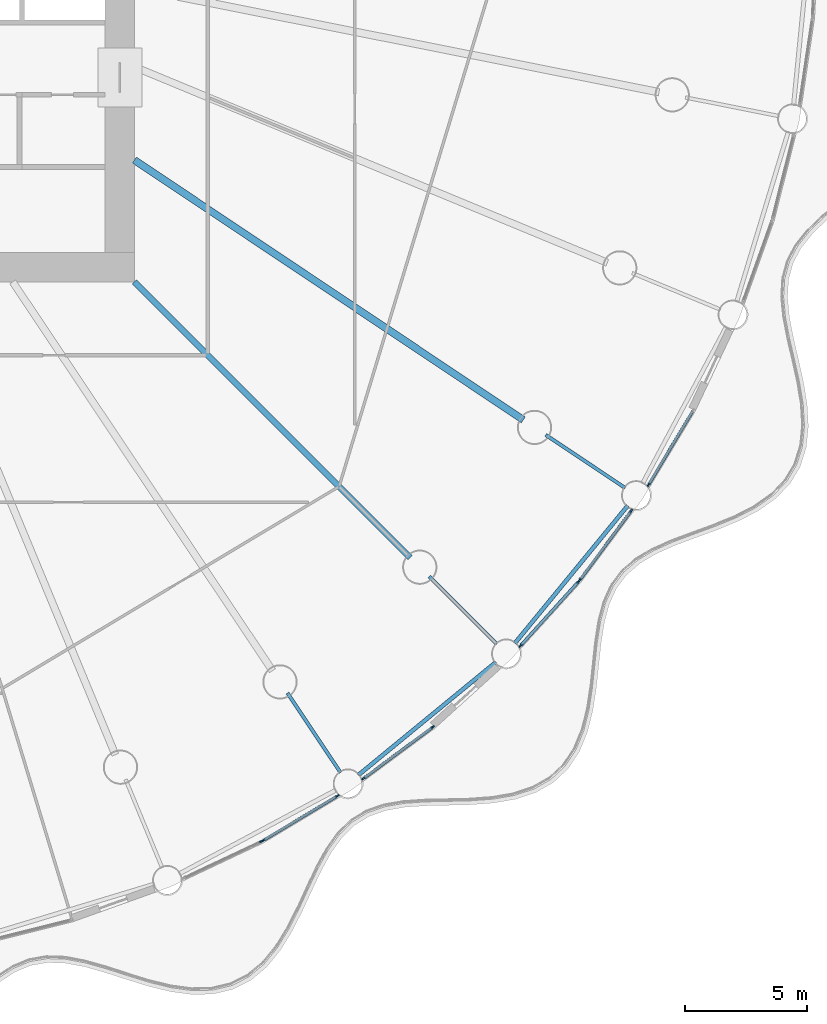
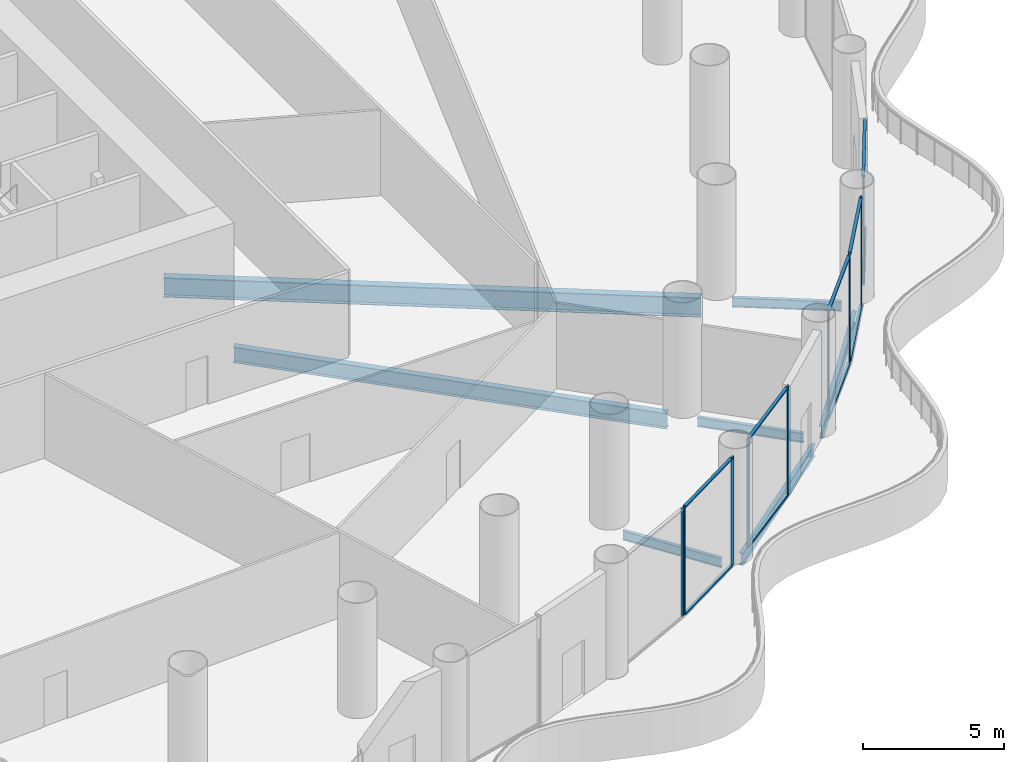
# One storey, part 10 of 35: 20 members, 7 beams, 6 elements without a shape of their own.
"""IFC4 building model written with IfcOpenShell, lengths in metres."""

import ifcopenshell
import ifcopenshell.guid

model = None  # the IFC model being written
_history = None  # IfcOwnerHistory: only IFC2X3 demands one
_inside = {}  # id of a spatial element -> (the spatial element, [elements in it])
_under = {}  # id of a project, library or spatial element -> (it, [spatial elements below it])
_declared = {}  # id of a project -> (the project, [libraries it declares])
_typed = {}  # id of a type object -> (the type object, [elements of that type])
_made_of = {}  # id of a material, layer set ... -> (it, [elements and type objects made of it])


def new_model(schema):
    """Start an empty IFC model of exactly this schema.

    Asked for "IFC4X3", IfcOpenShell would pick the latest addendum, in which some entities
    have other attributes; the version numbers below select the first issue.
    IFC2X3 requires an IfcOwnerHistory on every rooted entity: one is made here for all.
    """
    global model, _history
    if schema == "IFC4X3":
        model = ifcopenshell.file(schema_version=(4, 3, 0, 0))
    else:
        model = ifcopenshell.file(schema=schema)
    _inside.clear()
    _under.clear()
    _declared.clear()
    _typed.clear()
    _made_of.clear()
    _history = None
    if model.schema == "IFC2X3":
        org = make("IfcOrganization", Name="unknown")
        user = make(
            "IfcPersonAndOrganization",
            ThePerson=make("IfcPerson", FamilyName="unknown"),
            TheOrganization=org,
        )
        app = make(
            "IfcApplication",
            ApplicationDeveloper=org,
            Version="unknown",
            ApplicationFullName="unknown",
            ApplicationIdentifier="unknown",
        )
        _history = make(
            "IfcOwnerHistory",
            OwningUser=user,
            OwningApplication=app,
            ChangeAction="ADDED",
            CreationDate=0,
        )
    return model


def make(cls, **values):
    """One entity of the class cls with the attributes given. An attribute that is None is left unset."""
    return model.create_entity(
        cls, **{name: value for name, value in values.items() if value is not None}
    )


def rooted(cls, **values):
    """An entity with a GlobalId (a new one), such as an element, a storey or a relation."""
    return make(cls, GlobalId=ifcopenshell.guid.new(), OwnerHistory=_history, **values)


def si_unit(unit_type, name, prefix=None):
    """IfcSIUnit, for example si_unit("LENGTHUNIT", "METRE", prefix="MILLI")."""
    return make("IfcSIUnit", UnitType=unit_type, Prefix=prefix, Name=name)


def assignment(units):
    """IfcUnitAssignment: the units of a project."""
    return None if units is None else make("IfcUnitAssignment", Units=units)


def point(xyz):
    """IfcCartesianPoint."""
    return None if xyz is None else make("IfcCartesianPoint", Coordinates=xyz)


def direction(xyz):
    """IfcDirection."""
    return None if xyz is None else make("IfcDirection", DirectionRatios=xyz)


def frame(location, z_axis=None, x_axis=None):
    """IfcAxis2Placement3D, a coordinate frame: its origin and axes. An axis left out is left unset."""
    return make(
        "IfcAxis2Placement3D",
        Location=point(location),
        Axis=direction(z_axis),
        RefDirection=direction(x_axis),
    )


def frame_2d(location, x_axis=None):
    """IfcAxis2Placement2D, a coordinate frame in the plane: its origin and x axis."""
    return make(
        "IfcAxis2Placement2D", Location=point(location), RefDirection=direction(x_axis)
    )


def origin():
    """The frame at (0, 0, 0) with its axes left unset."""
    return frame((0.0, 0.0, 0.0))


def origin_2d():
    """The frame at (0, 0) in the plane with its x axis left unset."""
    return frame_2d((0.0, 0.0))


def place(relative_to, where):
    """IfcLocalPlacement: puts the frame where relative to a parent placement (None: the world)."""
    return make(
        "IfcLocalPlacement", PlacementRelTo=relative_to, RelativePlacement=where
    )


def context(
    kind, dimensions, precision=None, world=None, true_north=None, identifier=None
):
    """IfcGeometricRepresentationContext, for example the 3D "Model" context."""
    return make(
        "IfcGeometricRepresentationContext",
        ContextIdentifier=identifier,
        ContextType=kind,
        CoordinateSpaceDimension=dimensions,
        Precision=precision,
        WorldCoordinateSystem=world,
        TrueNorth=true_north,
    )


def subcontext(parent, identifier, kind, view, scale=None):
    """IfcGeometricRepresentationSubContext, for example "Body" below "Model"."""
    return make(
        "IfcGeometricRepresentationSubContext",
        ContextIdentifier=identifier,
        ContextType=kind,
        ParentContext=parent,
        TargetScale=scale,
        TargetView=view,
    )


def project(units=None, contexts=None):
    """IfcProject with its units and contexts."""
    return rooted(
        "IfcProject",
        Name="project",
        RepresentationContexts=contexts,
        UnitsInContext=assignment(units),
    )


def spatial(cls, under=None, at=None, **own):
    """A site, building, storey or space (cls), placed at a placement, below another one or the project."""
    s = rooted(cls, ObjectPlacement=at, **own)
    if under is not None:
        _under.setdefault(under.id(), (under, []))[1].append(s)
    return s


def profile(cls, at=None, kind="AREA", **sizes):
    """A parametric profile (cls). Its sizes go by their IFC names, for example OverallWidth=200.0."""
    return make(cls, ProfileType=kind, Position=at, **sizes)


def rectangle(**sizes):
    """IfcRectangleProfileDef."""
    return profile("IfcRectangleProfileDef", **sizes)


def i_section(**sizes):
    """IfcIShapeProfileDef."""
    return profile("IfcIShapeProfileDef", **sizes)


def extrude(swept, where, along, depth):
    """IfcExtrudedAreaSolid: the profile swept, set in the frame where, extruded along a direction by depth."""
    return make(
        "IfcExtrudedAreaSolid",
        SweptArea=swept,
        Position=where,
        ExtrudedDirection=direction(along),
        Depth=depth,
    )


def shape(context_of_items, identifier, shape_type, items):
    """IfcShapeRepresentation: the items that make up one representation, for example the "Body"."""
    return make(
        "IfcShapeRepresentation",
        ContextOfItems=context_of_items,
        RepresentationIdentifier=identifier,
        RepresentationType=shape_type,
        Items=items,
    )


def material(Name=None, Category=None):
    """IfcMaterial."""
    return make("IfcMaterial", Name=Name, Category=Category)


def material_profile(
    of_material, cross_section, Name=None, Category=None, Priority=None
):
    """IfcMaterialProfile: a cross section and its material."""
    return make(
        "IfcMaterialProfile",
        Name=Name,
        Material=of_material,
        Profile=cross_section,
        Priority=Priority,
        Category=Category,
    )


def profile_set(profiles, Name=None, composite=None):
    """IfcMaterialProfileSet."""
    return make(
        "IfcMaterialProfileSet",
        Name=Name,
        MaterialProfiles=profiles,
        CompositeProfile=composite,
    )


def made_of(thing, what):
    """Note that an element or type object is made of a material, layer set ...; save() writes the relation."""
    if what is not None:
        _made_of.setdefault(what.id(), (what, []))[1].append(thing)
    return thing


def type_object(cls, material=None, **own):
    """A type object (cls), such as IfcWallType, which elements share."""
    return made_of(rooted(cls, **own), material)


def element(
    cls,
    number,
    at=None,
    inside=None,
    cuts=None,
    type_object=None,
    material=None,
    context=None,
    identifier="Body",
    shape_type=None,
    held_by="IfcProductDefinitionShape",
    body=None,
    shapes=None,
    **own,
):
    """One element of the class cls, such as IfcWall. Its Tag is "e" and its number.

    at: its placement. inside: the storey or other place that contains it. cuts: it is an
    opening in that element (IfcRelVoidsElement). A single representation is given by context,
    identifier, shape_type and body (its items); several are given by shapes. held_by: the class
    of the entity that holds the representations. save() writes the other relations.
    """
    e = rooted(cls, Tag="e%d" % number, ObjectPlacement=at, **own)
    if body is not None:
        shapes = [shape(context, identifier, shape_type, body)]
    if shapes is not None:
        e.Representation = make(held_by, Representations=shapes)
    if inside is not None:
        _inside.setdefault(inside.id(), (inside, []))[1].append(e)
    if cuts is not None:
        rooted(
            "IfcRelVoidsElement", RelatingBuildingElement=cuts, RelatedOpeningElement=e
        )
    if type_object is not None:
        _typed.setdefault(type_object.id(), (type_object, []))[1].append(e)
    return made_of(e, material)


def aggregate(whole, parts):
    """IfcRelAggregates: a whole, such as a stair, and the parts it consists of."""
    return rooted("IfcRelAggregates", RelatingObject=whole, RelatedObjects=parts)


def save(model, path):
    """Write the relations noted so far, then the file.

    IfcRelAggregates (storeys below a building ...), IfcRelContainedInSpatialStructure (elements
    in a storey), IfcRelDefinesByType, IfcRelAssociatesMaterial and IfcRelDeclares: one each for
    every whole, place, type object, material and project.
    """
    for whole, parts in _under.values():
        aggregate(whole, parts)
    for where, things in _inside.values():
        rooted(
            "IfcRelContainedInSpatialStructure",
            RelatedElements=things,
            RelatingStructure=where,
        )
    for kind, things in _typed.values():
        rooted("IfcRelDefinesByType", RelatedObjects=things, RelatingType=kind)
    for what, things in _made_of.values():
        rooted("IfcRelAssociatesMaterial", RelatedObjects=things, RelatingMaterial=what)
    for by, libraries in _declared.values():
        rooted("IfcRelDeclares", RelatingContext=by, RelatedDefinitions=libraries)
    model.write(path)


model = new_model("IFC4")

# Units and contexts
model_context = context("Model", 3, precision=1e-05, world=origin(), true_north=direction((0.0, 1.0)))
body_context = subcontext(model_context, "Body", "Model", "MODEL_VIEW")
ifc_project = project(units=[si_unit("LENGTHUNIT", "METRE"), si_unit("AREAUNIT", "SQUARE_METRE"), si_unit("VOLUMEUNIT", "CUBIC_METRE"), si_unit("PLANEANGLEUNIT", "RADIAN"), si_unit("MASSUNIT", "GRAM", prefix="KILO")], contexts=[model_context])

# Site, building, storey
site_placement = place(None, origin())
site = spatial("IfcSite", under=ifc_project, at=site_placement, CompositionType="ELEMENT")
building_placement = place(site_placement, origin())
building = spatial("IfcBuilding", under=site, at=building_placement, Name="Corvane Civic Tower", CompositionType="ELEMENT")
storey_placement = place(building_placement, frame((0.0, 0.0, 22.0)))
storey = spatial("IfcBuildingStorey", under=building, at=storey_placement, Name="L04", CompositionType="ELEMENT", Elevation=22.0)

# Beams
ifc_material_1 = material(Name="Steel ASTM A992 Gr 50", Category="steel")
ifc_material_profile_1 = material_profile(ifc_material_1, i_section(OverallWidth=0.165771484375, OverallDepth=0.5283203125, WebThickness=0.009765625, FlangeThickness=0.013671875, at=origin_2d()), Name="W21X50")
ifc_profile_set_1 = profile_set([ifc_material_profile_1], Name="Steel ASTM A992 Gr 50")
beam_type_1 = type_object("IfcBeamType", Name="EDGE BEAM W21X50", PredefinedType="BEAM", material=ifc_profile_set_1)
for number, where, z_axis, x_axis, name in (
    (1, (35.15478515625, -24.14794921875, -0.564208984375), (-0.634396365205, -0.773007924807, 0.0), (0.773007924807, -0.634396365205, 0.0), "BM-L04-E12"),
    (2, (29.768310546875, -30.542236328125, -0.564208984375), (-0.773007924807, -0.634396365205, 0.0), (0.634396365205, -0.773007924807, 0.0), "BM-L04-E13"),
):
    element("IfcBeam", number, at=place(storey_placement, frame(where, z_axis=z_axis, x_axis=x_axis)), inside=storey, type_object=beam_type_1, Name=name, PredefinedType="BEAM", context=body_context, shape_type="SweptSolid", body=[
        extrude(i_section(OverallWidth=0.165771484375, OverallDepth=0.5283203125, WebThickness=0.009765625, FlangeThickness=0.013671875, at=origin_2d()), origin(), (0.0, 0.0, 1.0), 7.270751953125),
    ])
ifc_material_2 = material(Name="Steel ASTM A992 Gr 50", Category="steel")
ifc_material_profile_2 = material_profile(ifc_material_2, i_section(OverallWidth=0.140380859375, OverallDepth=0.40380859375, WebThickness=0.007080078125, FlangeThickness=0.01123046875, at=origin_2d()), Name="W16X31")
ifc_profile_set_2 = profile_set([ifc_material_profile_2], Name="Steel ASTM A992 Gr 50")
beam_type_2 = type_object("IfcBeamType", Name="FLOOR GIRDER W16X31", PredefinedType="BEAM", material=ifc_profile_set_2)
for number, where, z_axis, x_axis, name in (
    (3, (31.8037109375, -21.25048828125, -0.501953125), (0.831462344301, -0.555581110199, 0.0), (0.555581110199, 0.831462344301, 0.0), "BM-L04-G12b"),
    (4, (27.046875, -27.046875, -0.501953125), (0.707106781187, -0.707106781187, 0.0), (0.707106781187, 0.707106781187, 0.0), "BM-L04-G13b"),
    (5, (21.25048828125, -31.8037109375, -0.501953125), (0.555581110199, -0.831462344301, 0.0), (0.831462344301, 0.555581110199, 0.0), "BM-L04-G14b"),
):
    element("IfcBeam", number, at=place(storey_placement, frame(where, z_axis=z_axis, x_axis=x_axis)), inside=storey, type_object=beam_type_2, Name=name, PredefinedType="BEAM", context=body_context, shape_type="SweptSolid", body=[
        extrude(i_section(OverallWidth=0.140380859375, OverallDepth=0.40380859375, WebThickness=0.007080078125, FlangeThickness=0.01123046875, at=origin_2d()), origin(), (0.0, 0.0, 1.0), 3.89990234375),
    ])
ifc_material_3 = material(Name="Steel ASTM A992 Gr 50", Category="steel")
ifc_material_profile_3 = material_profile(ifc_material_3, i_section(OverallWidth=0.25390625, OverallDepth=0.67822265625, WebThickness=0.01171875, FlangeThickness=0.016357421875, at=origin_2d()), Name="W27X84")
ifc_profile_set_3 = profile_set([ifc_material_profile_3], Name="Steel ASTM A992 Gr 50")
beam_type_3 = type_object("IfcBeamType", Name="FLOOR GIRDER W27X84", PredefinedType="BEAM", material=ifc_profile_set_3)
beam_1_placement = place(storey_placement, frame((15.0, -15.0, -0.63916015625), z_axis=(0.707106781187, -0.707106781187, 0.0), x_axis=(0.707106781187, 0.707106781187, 0.0)))
element("IfcBeam", 6, at=beam_1_placement, inside=storey, type_object=beam_type_3, Name="BM-L04-G13", PredefinedType="BEAM", context=body_context, shape_type="SweptSolid", body=[
    extrude(i_section(OverallWidth=0.25390625, OverallDepth=0.67822265625, WebThickness=0.01171875, FlangeThickness=0.016357421875, at=origin_2d()), origin(), (0.0, 0.0, 1.0), 15.936767578125),
])
ifc_material_4 = material(Name="Steel ASTM A992 Gr 50", Category="steel")
ifc_material_profile_4 = material_profile(ifc_material_4, i_section(OverallWidth=0.2919921875, OverallDepth=0.845703125, WebThickness=0.015380859375, FlangeThickness=0.0244140625, at=origin_2d()), Name="W33X141")
ifc_profile_set_4 = profile_set([ifc_material_profile_4], Name="Steel ASTM A992 Gr 50")
beam_type_4 = type_object("IfcBeamType", Name="FLOOR GIRDER W33X141", PredefinedType="BEAM", material=ifc_profile_set_4)
beam_2_placement = place(storey_placement, frame((15.0, -10.022705078125, -0.722900390625), z_axis=(0.831471985418, -0.555566681385, 0.0), x_axis=(0.555566681385, 0.831471985418, 0.0)))
element("IfcBeam", 7, at=beam_2_placement, inside=storey, type_object=beam_type_4, Name="BM-L04-G12", PredefinedType="BEAM", context=body_context, shape_type="SweptSolid", body=[
    extrude(i_section(OverallWidth=0.2919921875, OverallDepth=0.845703125, WebThickness=0.015380859375, FlangeThickness=0.0244140625, at=origin_2d()), origin(), (0.0, 0.0, 1.0), 19.109619140625),
])

# Curtain wall, member
ifc_material_5 = material(Name="Aluminium and glass", Category="aluminium")
curtain_wall_type = type_object("IfcCurtainWallType", Name="PODIUM-CW-P-RUN", PredefinedType="NOTDEFINED", material=ifc_material_5)
curtain_wall_1_placement = place(storey_placement, origin())
curtain_wall_1 = element("IfcCurtainWall", 8, at=curtain_wall_1_placement, inside=storey, type_object=curtain_wall_type, Name="PODI run L04-drum-11B", PredefinedType="NOTDEFINED")
ifc_material_6 = material(Name="Anodised aluminium bronze", Category="aluminium")
ifc_material_profile_5 = material_profile(ifc_material_6, rectangle(XDim=0.06005859375, YDim=0.159912109375, at=origin_2d()), Name="AL 60x160")
ifc_profile_set_5 = profile_set([ifc_material_profile_5], Name="Anodised aluminium bronze")
member_type_1 = type_object("IfcMemberType", Name="PODIUM-CWP-MULLION-60x160", PredefinedType="MULLION", material=ifc_profile_set_5)
member_1_placement = place(storey_placement, frame((36.010009765625, -23.28564453125, 0.0), z_axis=(0.0, 0.0, 1.0), x_axis=(0.857719609779, -0.514117759857, 0.0)))
member_1 = element("IfcMember", 9, at=member_1_placement, type_object=member_type_1, Name="CW-P mullion 2", PredefinedType="MULLION", context=body_context, shape_type="SweptSolid", body=[
    extrude(rectangle(XDim=0.06005859375, YDim=0.159912109375, at=origin_2d()), origin(), (0.0, 0.0, 1.0), 4.699951171875),
])

# Curtain wall, members
curtain_wall_2_placement = place(storey_placement, origin())
curtain_wall_2 = element("IfcCurtainWall", 10, at=curtain_wall_2_placement, inside=storey, type_object=curtain_wall_type, Name="PODI run L04-drum-12A", PredefinedType="NOTDEFINED")
member_2_placement = place(storey_placement, frame((35.293701171875, -24.35791015625, 0.0), z_axis=(0.0, 0.0, 1.0), x_axis=(0.803203229747, -0.595705104665, 0.0)))
member_2 = element("IfcMember", 11, at=member_2_placement, type_object=member_type_1, Name="CW-P mullion 1", PredefinedType="MULLION", context=body_context, shape_type="SweptSolid", body=[
    extrude(rectangle(XDim=0.06005859375, YDim=0.159912109375, at=origin_2d()), origin(), (0.0, 0.0, 1.0), 4.699951171875),
])
member_3_placement = place(storey_placement, frame((33.197021484375, -27.18505859375, 0.0), z_axis=(0.0, 0.0, 1.0), x_axis=(0.803203229747, -0.595705104665, 0.0)))
member_3 = element("IfcMember", 12, at=member_3_placement, type_object=member_type_1, Name="CW-P mullion 2", PredefinedType="MULLION", context=body_context, shape_type="SweptSolid", body=[
    extrude(rectangle(XDim=0.06005859375, YDim=0.159912109375, at=origin_2d()), origin(), (0.0, 0.0, 1.0), 4.699951171875),
])

curtain_wall_3_placement = place(storey_placement, origin())
curtain_wall_3 = element("IfcCurtainWall", 13, at=curtain_wall_3_placement, inside=storey, type_object=curtain_wall_type, Name="PODI run L04-drum-12B", PredefinedType="NOTDEFINED")
member_4_placement = place(storey_placement, frame((33.13916015625, -27.25537109375, 0.0), z_axis=(0.0, 0.0, 1.0), x_axis=(0.740935261089, -0.671576457952, 0.0)))
member_4 = element("IfcMember", 14, at=member_4_placement, type_object=member_type_1, Name="CW-P mullion 1", PredefinedType="MULLION", context=body_context, shape_type="SweptSolid", body=[
    extrude(rectangle(XDim=0.06005859375, YDim=0.159912109375, at=origin_2d()), origin(), (0.0, 0.0, 1.0), 4.699951171875),
])
member_5_placement = place(storey_placement, frame((30.775390625, -29.863525390625, 0.0), z_axis=(0.0, 0.0, 1.0), x_axis=(0.740935261089, -0.671576457952, 0.0)))
member_5 = element("IfcMember", 15, at=member_5_placement, type_object=member_type_1, Name="CW-P mullion 2", PredefinedType="MULLION", context=body_context, shape_type="SweptSolid", body=[
    extrude(rectangle(XDim=0.06005859375, YDim=0.159912109375, at=origin_2d()), origin(), (0.0, 0.0, 1.0), 4.699951171875),
])

curtain_wall_4_placement = place(storey_placement, origin())
curtain_wall_4 = element("IfcCurtainWall", 16, at=curtain_wall_4_placement, inside=storey, type_object=curtain_wall_type, Name="PODI run L04-drum-13B", PredefinedType="NOTDEFINED")
member_6_placement = place(storey_placement, frame((27.18505859375, -33.197021484375, 0.0), z_axis=(0.0, 0.0, 1.0), x_axis=(0.595705104665, -0.803203229747, 0.0)))
member_6 = element("IfcMember", 17, at=member_6_placement, type_object=member_type_1, Name="CW-P mullion 1", PredefinedType="MULLION", context=body_context, shape_type="SweptSolid", body=[
    extrude(rectangle(XDim=0.06005859375, YDim=0.159912109375, at=origin_2d()), origin(), (0.0, 0.0, 1.0), 4.699951171875),
])
member_7_placement = place(storey_placement, frame((24.35791015625, -35.293701171875, 0.0), z_axis=(0.0, 0.0, 1.0), x_axis=(0.595705104665, -0.803203229747, 0.0)))
member_7 = element("IfcMember", 18, at=member_7_placement, type_object=member_type_1, Name="CW-P mullion 2", PredefinedType="MULLION", context=body_context, shape_type="SweptSolid", body=[
    extrude(rectangle(XDim=0.06005859375, YDim=0.159912109375, at=origin_2d()), origin(), (0.0, 0.0, 1.0), 4.699951171875),
])

curtain_wall_5_placement = place(storey_placement, origin())
curtain_wall_5 = element("IfcCurtainWall", 19, at=curtain_wall_5_placement, inside=storey, type_object=curtain_wall_type, Name="PODI run L04-drum-14A", PredefinedType="NOTDEFINED")
member_8_placement = place(storey_placement, frame((23.28564453125, -36.010009765625, 0.0), z_axis=(0.0, 0.0, 1.0), x_axis=(0.514117759857, -0.857719609779, 0.0)))
member_8 = element("IfcMember", 20, at=member_8_placement, type_object=member_type_1, Name="CW-P mullion 1", PredefinedType="MULLION", context=body_context, shape_type="SweptSolid", body=[
    extrude(rectangle(XDim=0.06005859375, YDim=0.159912109375, at=origin_2d()), origin(), (0.0, 0.0, 1.0), 4.699951171875),
])
member_9_placement = place(storey_placement, frame((20.2666015625, -37.819580078125, 0.0), z_axis=(0.0, 0.0, 1.0), x_axis=(0.514117759857, -0.857719609779, 0.0)))
member_9 = element("IfcMember", 21, at=member_9_placement, type_object=member_type_1, Name="CW-P mullion 2", PredefinedType="MULLION", context=body_context, shape_type="SweptSolid", body=[
    extrude(rectangle(XDim=0.06005859375, YDim=0.159912109375, at=origin_2d()), origin(), (0.0, 0.0, 1.0), 4.699951171875),
])

# Curtain wall, member
curtain_wall_6_placement = place(storey_placement, origin())
curtain_wall_6 = element("IfcCurtainWall", 22, at=curtain_wall_6_placement, inside=storey, type_object=curtain_wall_type, Name="PODI run L04-drum-14B", PredefinedType="NOTDEFINED")
member_10_placement = place(storey_placement, frame((20.186279296875, -37.862548828125, 0.0), z_axis=(0.0, 0.0, 1.0), x_axis=(0.42755312852, -0.903990222454, 0.0)))
member_10 = element("IfcMember", 23, at=member_10_placement, type_object=member_type_1, Name="CW-P mullion 1", PredefinedType="MULLION", context=body_context, shape_type="SweptSolid", body=[
    extrude(rectangle(XDim=0.06005859375, YDim=0.159912109375, at=origin_2d()), origin(), (0.0, 0.0, 1.0), 4.699951171875),
])
aggregate(curtain_wall_6, [member_10])

# Member
ifc_material_7 = material(Name="Anodised aluminium bronze", Category="aluminium")
ifc_material_profile_6 = material_profile(ifc_material_7, rectangle(XDim=0.1201171875, YDim=0.06005859375, at=origin_2d()), Name="AL 120x60")
ifc_profile_set_6 = profile_set([ifc_material_profile_6], Name="Anodised aluminium bronze")
member_type_2 = type_object("IfcMemberType", Name="PODIUM-CWP-TRANSOM-60x120", PredefinedType="USERDEFINED", material=ifc_profile_set_6)
member_11_placement = place(storey_placement, frame((37.80419921875, -20.29248046875, 0.030029296875), z_axis=(-0.514111713099, -0.857723234181, 0.0), x_axis=(0.857723234181, -0.514111713099, 0.0)))
member_11 = element("IfcMember", 24, at=member_11_placement, type_object=member_type_2, Name="CW-P transom 1.1", ObjectType="TRANSOM", PredefinedType="USERDEFINED", context=body_context, shape_type="SweptSolid", body=[
    extrude(rectangle(XDim=0.1201171875, YDim=0.06005859375, at=origin_2d()), origin(), (0.0, 0.0, 1.0), 3.45947265625),
])

member_12_placement = place(storey_placement, frame((37.80419921875, -20.29248046875, 4.669921875), z_axis=(-0.514111713099, -0.857723234181, 0.0), x_axis=(0.857723234181, -0.514111713099, 0.0)))
member_12 = element("IfcMember", 25, at=member_12_placement, type_object=member_type_2, Name="CW-P transom 1.2", ObjectType="TRANSOM", PredefinedType="USERDEFINED", context=body_context, shape_type="SweptSolid", body=[
    extrude(rectangle(XDim=0.1201171875, YDim=0.06005859375, at=origin_2d()), origin(), (0.0, 0.0, 1.0), 3.45947265625),
])

aggregate(curtain_wall_1, [member_1, member_11, member_12])

member_13_placement = place(storey_placement, frame((35.27587890625, -24.382080078125, 0.030029296875), z_axis=(-0.595723591285, -0.803189518598, 0.0), x_axis=(0.803189518598, -0.595723591285, 0.0)))
member_13 = element("IfcMember", 26, at=member_13_placement, type_object=member_type_2, Name="CW-P transom 1.1", ObjectType="TRANSOM", PredefinedType="USERDEFINED", context=body_context, shape_type="SweptSolid", body=[
    extrude(rectangle(XDim=0.1201171875, YDim=0.06005859375, at=origin_2d()), origin(), (0.0, 0.0, 1.0), 3.459716796875),
])

member_14_placement = place(storey_placement, frame((35.27587890625, -24.382080078125, 4.669921875), z_axis=(-0.595723591285, -0.803189518598, 0.0), x_axis=(0.803189518598, -0.595723591285, 0.0)))
member_14 = element("IfcMember", 27, at=member_14_placement, type_object=member_type_2, Name="CW-P transom 1.2", ObjectType="TRANSOM", PredefinedType="USERDEFINED", context=body_context, shape_type="SweptSolid", body=[
    extrude(rectangle(XDim=0.1201171875, YDim=0.06005859375, at=origin_2d()), origin(), (0.0, 0.0, 1.0), 3.459716796875),
])

aggregate(curtain_wall_2, [member_2, member_3, member_13, member_14])

member_15_placement = place(storey_placement, frame((33.119140625, -27.277587890625, 0.030029296875), z_axis=(-0.671576323599, -0.740935382865, 0.0), x_axis=(0.740935382865, -0.671576323599, 0.0)))
member_15 = element("IfcMember", 28, at=member_15_placement, type_object=member_type_2, Name="CW-P transom 1.1", ObjectType="TRANSOM", PredefinedType="USERDEFINED", context=body_context, shape_type="SweptSolid", body=[
    extrude(rectangle(XDim=0.1201171875, YDim=0.06005859375, at=origin_2d()), origin(), (0.0, 0.0, 1.0), 3.460205078125),
])

member_16_placement = place(storey_placement, frame((33.119140625, -27.277587890625, 4.669921875), z_axis=(-0.671576323599, -0.740935382865, 0.0), x_axis=(0.740935382865, -0.671576323599, 0.0)))
member_16 = element("IfcMember", 29, at=member_16_placement, type_object=member_type_2, Name="CW-P transom 1.2", ObjectType="TRANSOM", PredefinedType="USERDEFINED", context=body_context, shape_type="SweptSolid", body=[
    extrude(rectangle(XDim=0.1201171875, YDim=0.06005859375, at=origin_2d()), origin(), (0.0, 0.0, 1.0), 3.460205078125),
])

aggregate(curtain_wall_3, [member_4, member_5, member_15, member_16])

member_17_placement = place(storey_placement, frame((27.160888671875, -33.21484375, 0.030029296875), z_axis=(-0.803189518598, -0.595723591285, 0.0), x_axis=(0.595723591285, -0.803189518598, 0.0)))
member_17 = element("IfcMember", 30, at=member_17_placement, type_object=member_type_2, Name="CW-P transom 1.1", ObjectType="TRANSOM", PredefinedType="USERDEFINED", context=body_context, shape_type="SweptSolid", body=[
    extrude(rectangle(XDim=0.1201171875, YDim=0.06005859375, at=origin_2d()), origin(), (0.0, 0.0, 1.0), 3.459716796875),
])

member_18_placement = place(storey_placement, frame((27.160888671875, -33.21484375, 4.669921875), z_axis=(-0.803189518598, -0.595723591285, 0.0), x_axis=(0.595723591285, -0.803189518598, 0.0)))
member_18 = element("IfcMember", 31, at=member_18_placement, type_object=member_type_2, Name="CW-P transom 1.2", ObjectType="TRANSOM", PredefinedType="USERDEFINED", context=body_context, shape_type="SweptSolid", body=[
    extrude(rectangle(XDim=0.1201171875, YDim=0.06005859375, at=origin_2d()), origin(), (0.0, 0.0, 1.0), 3.459716796875),
])

aggregate(curtain_wall_4, [member_6, member_7, member_17, member_18])

member_19_placement = place(storey_placement, frame((23.259765625, -36.025634765625, 0.030029296875), z_axis=(-0.857723234181, -0.514111713099, 0.0), x_axis=(0.514111713099, -0.857723234181, 0.0)))
member_19 = element("IfcMember", 32, at=member_19_placement, type_object=member_type_2, Name="CW-P transom 1.1", ObjectType="TRANSOM", PredefinedType="USERDEFINED", context=body_context, shape_type="SweptSolid", body=[
    extrude(rectangle(XDim=0.1201171875, YDim=0.06005859375, at=origin_2d()), origin(), (0.0, 0.0, 1.0), 3.45947265625),
])

member_20_placement = place(storey_placement, frame((23.259765625, -36.025634765625, 4.669921875), z_axis=(-0.857723234181, -0.514111713099, 0.0), x_axis=(0.514111713099, -0.857723234181, 0.0)))
member_20 = element("IfcMember", 33, at=member_20_placement, type_object=member_type_2, Name="CW-P transom 1.2", ObjectType="TRANSOM", PredefinedType="USERDEFINED", context=body_context, shape_type="SweptSolid", body=[
    extrude(rectangle(XDim=0.1201171875, YDim=0.06005859375, at=origin_2d()), origin(), (0.0, 0.0, 1.0), 3.45947265625),
])

aggregate(curtain_wall_5, [member_8, member_9, member_19, member_20])

save(model, "model.ifc")
